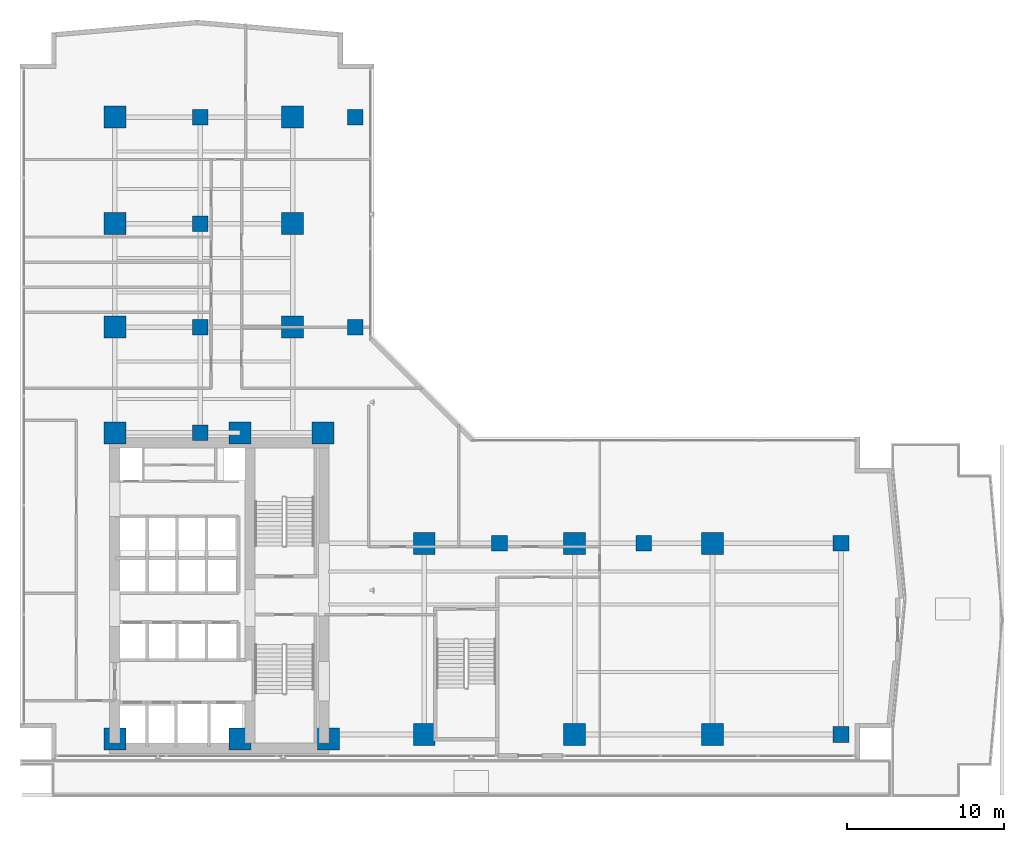
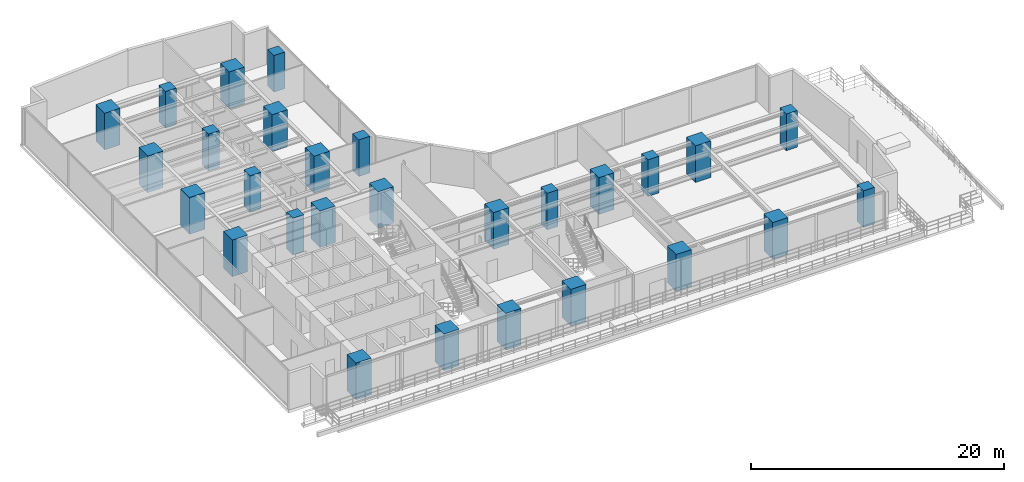
# One storey, part 1 of 26: 28 columns.
"""IFC4 building model written with IfcOpenShell, lengths in metres."""

from ifc_helpers import new_model, si_unit, direction, frame, origin, origin_2d, place, context, subcontext, project, spatial, rectangle, extrude, material, material_profile, profile_set, type_object, element, save


model = new_model("IFC4")

# Units and contexts
model_context = context("Model", 3, precision=1e-05, world=origin(), true_north=direction((0.0, 1.0)))
body_context = subcontext(model_context, "Body", "Model", "MODEL_VIEW")
ifc_project = project(units=[si_unit("LENGTHUNIT", "METRE"), si_unit("AREAUNIT", "SQUARE_METRE"), si_unit("VOLUMEUNIT", "CUBIC_METRE"), si_unit("PLANEANGLEUNIT", "RADIAN"), si_unit("MASSUNIT", "GRAM", prefix="KILO")], contexts=[model_context])

# Site, building, storey
site_placement = place(None, origin())
site = spatial("IfcSite", under=ifc_project, at=site_placement, CompositionType="ELEMENT")
building_placement = place(site_placement, origin())
building = spatial("IfcBuilding", under=site, at=building_placement, Name="Kolvaren Waterfront Exchange", CompositionType="ELEMENT")
storey_placement = place(building_placement, frame((0.0, 0.0, 87.89990234375)))
storey = spatial("IfcBuildingStorey", under=building, at=storey_placement, Name="L22", CompositionType="ELEMENT", Elevation=87.89990234375)

# Columns
ifc_material = material(Name="Concrete C60/75", Category="concrete")
ifc_material_profile_1 = material_profile(ifc_material, rectangle(XDim=1.0, YDim=1.0, at=origin_2d()), Name="RC-COL-1000x1000")
ifc_profile_set_1 = profile_set([ifc_material_profile_1], Name="Concrete C60/75")
column_type_1 = type_object("IfcColumnType", Name="STR-COL-1000-C60", PredefinedType="COLUMN", material=ifc_profile_set_1)
for number, where, z_axis, x_axis, name in (
    (1, (53.800048828125, 5.199951171875, 0.0), (0.0, 0.0, 1.0), (1.0, 0.0, 0.0), "L22 column ZC01"),
    (2, (53.800048828125, 17.39990234375, 0.0), (0.0, 0.0, 1.0), (1.0, 0.0, 0.0), "L22 column ZC02"),
    (3, (22.800048828125, 31.199951171875, 0.0), (0.0, 0.0, 1.0), (1.0, 0.0, 0.0), "L22 column ZC05"),
    (4, (22.800048828125, 44.60009765625, 0.0), (0.0, 0.0, 1.0), (1.0, 0.0, 0.0), "L22 column ZC06"),
    (5, (12.89990234375, 24.449951171875, 0.0), (0.0, 0.0, 1.0), (1.0, 0.0, 0.0), "L22 column TC01"),
    (6, (12.89990234375, 31.199951171875, 0.0), (0.0, 0.0, 1.0), (1.0, 0.0, 0.0), "L22 column TC02"),
    (7, (12.89990234375, 37.800048828125, 0.0), (0.0, 0.0, 1.0), (1.0, 0.0, 0.0), "L22 column TC03"),
    (8, (12.89990234375, 44.60009765625, 0.0), (0.0, 0.0, 1.0), (1.0, 0.0, 0.0), "L22 column TC04"),
    (9, (32.0, 17.39990234375, 0.0), (0.0, 0.0, 1.0), (1.0, 0.0, 0.0), "L22 column TC05"),
    (10, (41.199951171875, 17.39990234375, 0.0), (0.0, 0.0, 1.0), (1.0, 0.0, 0.0), "L22 column TC06"),
):
    element("IfcColumn", number, at=place(storey_placement, frame(where, z_axis=z_axis, x_axis=x_axis)), inside=storey, type_object=column_type_1, Name=name, PredefinedType="COLUMN", context=body_context, shape_type="SweptSolid", body=[
        extrude(rectangle(XDim=1.0, YDim=1.0, at=origin_2d()), origin(), (0.0, 0.0, 1.0), 3.5400390625),
    ])
ifc_material_profile_2 = material_profile(ifc_material, rectangle(XDim=1.39990234375, YDim=1.39990234375, at=origin_2d()), Name="RC-COL-1400x1400")
ifc_profile_set_2 = profile_set([ifc_material_profile_2], Name="Concrete C60/75")
column_type_2 = type_object("IfcColumnType", Name="STR-COL-1400-C60", PredefinedType="COLUMN", material=ifc_profile_set_2)
for number, where, z_axis, x_axis, name in (
    (11, (7.449951171875, 4.89990234375, 0.0), (0.0, 0.0, 1.0), (1.0, 0.0, 0.0), "L22 column MC01"),
    (12, (15.449951171875, 4.89990234375, 0.0), (0.0, 0.0, 1.0), (1.0, 0.0, 0.0), "L22 column MC02"),
    (13, (21.10009765625, 4.89990234375, 0.0), (0.0, 0.0, 1.0), (1.0, 0.0, 0.0), "L22 column MC03"),
    (14, (7.449951171875, 24.449951171875, 0.0), (0.0, 0.0, 1.0), (1.0, 0.0, 0.0), "L22 column MC04"),
    (15, (15.449951171875, 24.449951171875, 0.0), (0.0, 0.0, 1.0), (1.0, 0.0, 0.0), "L22 column MC05"),
    (16, (20.75, 24.449951171875, 0.0), (0.0, 0.0, 1.0), (1.0, 0.0, 0.0), "L22 column MC06"),
    (17, (7.449951171875, 31.199951171875, 0.0), (0.0, 0.0, 1.0), (1.0, 0.0, 0.0), "L22 column NC01"),
    (18, (7.449951171875, 37.800048828125, 0.0), (0.0, 0.0, 1.0), (1.0, 0.0, 0.0), "L22 column NC02"),
    (19, (7.449951171875, 44.60009765625, 0.0), (0.0, 0.0, 1.0), (1.0, 0.0, 0.0), "L22 column NC03"),
    (20, (18.800048828125, 31.199951171875, 0.0), (0.0, 0.0, 1.0), (1.0, 0.0, 0.0), "L22 column NC04"),
    (21, (18.800048828125, 37.800048828125, 0.0), (0.0, 0.0, 1.0), (1.0, 0.0, 0.0), "L22 column NC05"),
    (22, (18.800048828125, 44.60009765625, 0.0), (0.0, 0.0, 1.0), (1.0, 0.0, 0.0), "L22 column NC06"),
    (23, (27.199951171875, 5.199951171875, 0.0), (0.0, 0.0, 1.0), (1.0, 0.0, 0.0), "L22 column EC01"),
    (24, (36.800048828125, 5.199951171875, 0.0), (0.0, 0.0, 1.0), (1.0, 0.0, 0.0), "L22 column EC02"),
    (25, (45.60009765625, 5.199951171875, 0.0), (0.0, 0.0, 1.0), (1.0, 0.0, 0.0), "L22 column EC03"),
    (26, (27.199951171875, 17.39990234375, 0.0), (0.0, 0.0, 1.0), (1.0, 0.0, 0.0), "L22 column EC04"),
    (27, (36.800048828125, 17.39990234375, 0.0), (0.0, 0.0, 1.0), (1.0, 0.0, 0.0), "L22 column EC05"),
    (28, (45.60009765625, 17.39990234375, 0.0), (0.0, 0.0, 1.0), (1.0, 0.0, 0.0), "L22 column EC06"),
):
    element("IfcColumn", number, at=place(storey_placement, frame(where, z_axis=z_axis, x_axis=x_axis)), inside=storey, type_object=column_type_2, Name=name, PredefinedType="COLUMN", context=body_context, shape_type="SweptSolid", body=[
        extrude(rectangle(XDim=1.39990234375, YDim=1.39990234375, at=origin_2d()), origin(), (0.0, 0.0, 1.0), 3.5400390625),
    ])

save(model, "model.ifc")
